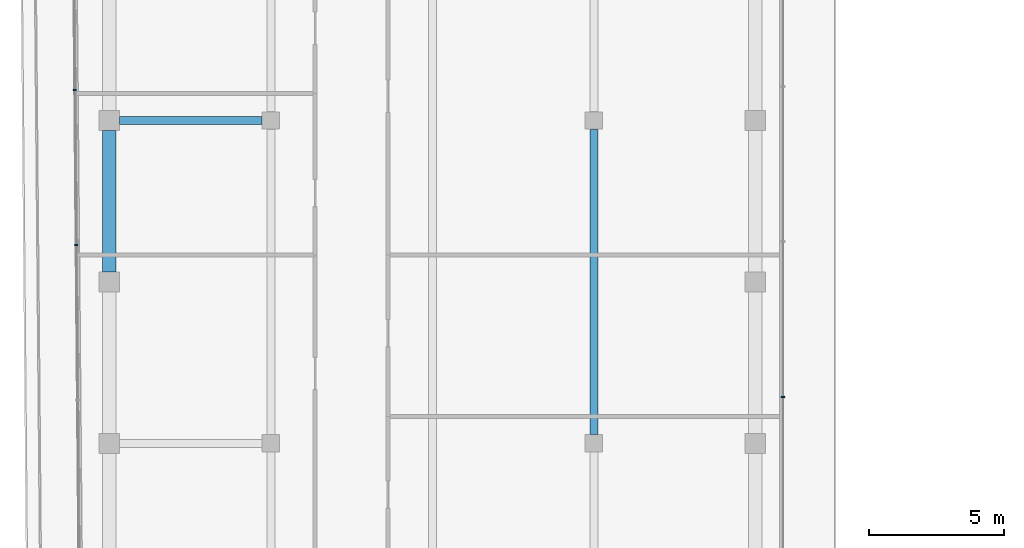
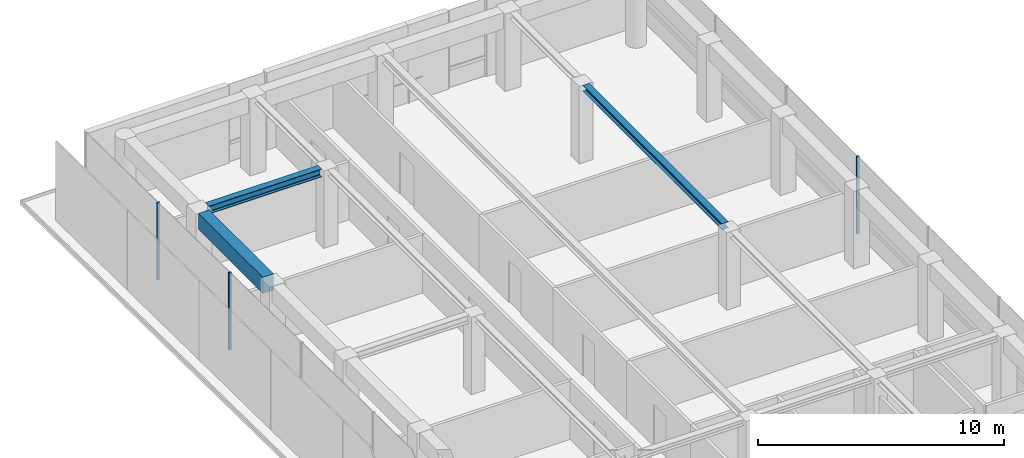
# One storey, part 10 of 18: 3 beams, 3 members, 2 elements without a shape of their own.
"""IFC4 building model written with IfcOpenShell, lengths in metres."""

import ifcopenshell
import ifcopenshell.guid

model = None  # the IFC model being written
_history = None  # IfcOwnerHistory: only IFC2X3 demands one
_inside = {}  # id of a spatial element -> (the spatial element, [elements in it])
_under = {}  # id of a project, library or spatial element -> (it, [spatial elements below it])
_declared = {}  # id of a project -> (the project, [libraries it declares])
_typed = {}  # id of a type object -> (the type object, [elements of that type])
_made_of = {}  # id of a material, layer set ... -> (it, [elements and type objects made of it])


def new_model(schema):
    """Start an empty IFC model of exactly this schema.

    Asked for "IFC4X3", IfcOpenShell would pick the latest addendum, in which some entities
    have other attributes; the version numbers below select the first issue.
    IFC2X3 requires an IfcOwnerHistory on every rooted entity: one is made here for all.
    """
    global model, _history
    if schema == "IFC4X3":
        model = ifcopenshell.file(schema_version=(4, 3, 0, 0))
    else:
        model = ifcopenshell.file(schema=schema)
    _inside.clear()
    _under.clear()
    _declared.clear()
    _typed.clear()
    _made_of.clear()
    _history = None
    if model.schema == "IFC2X3":
        org = make("IfcOrganization", Name="unknown")
        user = make(
            "IfcPersonAndOrganization",
            ThePerson=make("IfcPerson", FamilyName="unknown"),
            TheOrganization=org,
        )
        app = make(
            "IfcApplication",
            ApplicationDeveloper=org,
            Version="unknown",
            ApplicationFullName="unknown",
            ApplicationIdentifier="unknown",
        )
        _history = make(
            "IfcOwnerHistory",
            OwningUser=user,
            OwningApplication=app,
            ChangeAction="ADDED",
            CreationDate=0,
        )
    return model


def make(cls, **values):
    """One entity of the class cls with the attributes given. An attribute that is None is left unset."""
    return model.create_entity(
        cls, **{name: value for name, value in values.items() if value is not None}
    )


def rooted(cls, **values):
    """An entity with a GlobalId (a new one), such as an element, a storey or a relation."""
    return make(cls, GlobalId=ifcopenshell.guid.new(), OwnerHistory=_history, **values)


def si_unit(unit_type, name, prefix=None):
    """IfcSIUnit, for example si_unit("LENGTHUNIT", "METRE", prefix="MILLI")."""
    return make("IfcSIUnit", UnitType=unit_type, Prefix=prefix, Name=name)


def assignment(units):
    """IfcUnitAssignment: the units of a project."""
    return None if units is None else make("IfcUnitAssignment", Units=units)


def point(xyz):
    """IfcCartesianPoint."""
    return None if xyz is None else make("IfcCartesianPoint", Coordinates=xyz)


def direction(xyz):
    """IfcDirection."""
    return None if xyz is None else make("IfcDirection", DirectionRatios=xyz)


def frame(location, z_axis=None, x_axis=None):
    """IfcAxis2Placement3D, a coordinate frame: its origin and axes. An axis left out is left unset."""
    return make(
        "IfcAxis2Placement3D",
        Location=point(location),
        Axis=direction(z_axis),
        RefDirection=direction(x_axis),
    )


def frame_2d(location, x_axis=None):
    """IfcAxis2Placement2D, a coordinate frame in the plane: its origin and x axis."""
    return make(
        "IfcAxis2Placement2D", Location=point(location), RefDirection=direction(x_axis)
    )


def origin():
    """The frame at (0, 0, 0) with its axes left unset."""
    return frame((0.0, 0.0, 0.0))


def origin_2d():
    """The frame at (0, 0) in the plane with its x axis left unset."""
    return frame_2d((0.0, 0.0))


def place(relative_to, where):
    """IfcLocalPlacement: puts the frame where relative to a parent placement (None: the world)."""
    return make(
        "IfcLocalPlacement", PlacementRelTo=relative_to, RelativePlacement=where
    )


def context(
    kind, dimensions, precision=None, world=None, true_north=None, identifier=None
):
    """IfcGeometricRepresentationContext, for example the 3D "Model" context."""
    return make(
        "IfcGeometricRepresentationContext",
        ContextIdentifier=identifier,
        ContextType=kind,
        CoordinateSpaceDimension=dimensions,
        Precision=precision,
        WorldCoordinateSystem=world,
        TrueNorth=true_north,
    )


def subcontext(parent, identifier, kind, view, scale=None):
    """IfcGeometricRepresentationSubContext, for example "Body" below "Model"."""
    return make(
        "IfcGeometricRepresentationSubContext",
        ContextIdentifier=identifier,
        ContextType=kind,
        ParentContext=parent,
        TargetScale=scale,
        TargetView=view,
    )


def project(units=None, contexts=None):
    """IfcProject with its units and contexts."""
    return rooted(
        "IfcProject",
        Name="project",
        RepresentationContexts=contexts,
        UnitsInContext=assignment(units),
    )


def spatial(cls, under=None, at=None, **own):
    """A site, building, storey or space (cls), placed at a placement, below another one or the project."""
    s = rooted(cls, ObjectPlacement=at, **own)
    if under is not None:
        _under.setdefault(under.id(), (under, []))[1].append(s)
    return s


def profile(cls, at=None, kind="AREA", **sizes):
    """A parametric profile (cls). Its sizes go by their IFC names, for example OverallWidth=200.0."""
    return make(cls, ProfileType=kind, Position=at, **sizes)


def rectangle(**sizes):
    """IfcRectangleProfileDef."""
    return profile("IfcRectangleProfileDef", **sizes)


def i_section(**sizes):
    """IfcIShapeProfileDef."""
    return profile("IfcIShapeProfileDef", **sizes)


def extrude(swept, where, along, depth):
    """IfcExtrudedAreaSolid: the profile swept, set in the frame where, extruded along a direction by depth."""
    return make(
        "IfcExtrudedAreaSolid",
        SweptArea=swept,
        Position=where,
        ExtrudedDirection=direction(along),
        Depth=depth,
    )


def shape(context_of_items, identifier, shape_type, items):
    """IfcShapeRepresentation: the items that make up one representation, for example the "Body"."""
    return make(
        "IfcShapeRepresentation",
        ContextOfItems=context_of_items,
        RepresentationIdentifier=identifier,
        RepresentationType=shape_type,
        Items=items,
    )


def material(Name=None, Category=None):
    """IfcMaterial."""
    return make("IfcMaterial", Name=Name, Category=Category)


def layer(
    of_material, thickness, ventilated=None, Name=None, Category=None, Priority=None
):
    """IfcMaterialLayer: one layer of a wall or slab, of a material (None: an air gap)."""
    return make(
        "IfcMaterialLayer",
        Material=of_material,
        LayerThickness=thickness,
        IsVentilated=ventilated,
        Name=Name,
        Category=Category,
        Priority=Priority,
    )


def layer_set(layers, Name=None):
    """IfcMaterialLayerSet."""
    return make("IfcMaterialLayerSet", MaterialLayers=layers, LayerSetName=Name)


def material_profile(
    of_material, cross_section, Name=None, Category=None, Priority=None
):
    """IfcMaterialProfile: a cross section and its material."""
    return make(
        "IfcMaterialProfile",
        Name=Name,
        Material=of_material,
        Profile=cross_section,
        Priority=Priority,
        Category=Category,
    )


def profile_set(profiles, Name=None, composite=None):
    """IfcMaterialProfileSet."""
    return make(
        "IfcMaterialProfileSet",
        Name=Name,
        MaterialProfiles=profiles,
        CompositeProfile=composite,
    )


def made_of(thing, what):
    """Note that an element or type object is made of a material, layer set ...; save() writes the relation."""
    if what is not None:
        _made_of.setdefault(what.id(), (what, []))[1].append(thing)
    return thing


def type_object(cls, material=None, **own):
    """A type object (cls), such as IfcWallType, which elements share."""
    return made_of(rooted(cls, **own), material)


def element(
    cls,
    number,
    at=None,
    inside=None,
    cuts=None,
    type_object=None,
    material=None,
    context=None,
    identifier="Body",
    shape_type=None,
    held_by="IfcProductDefinitionShape",
    body=None,
    shapes=None,
    **own,
):
    """One element of the class cls, such as IfcWall. Its Tag is "e" and its number.

    at: its placement. inside: the storey or other place that contains it. cuts: it is an
    opening in that element (IfcRelVoidsElement). A single representation is given by context,
    identifier, shape_type and body (its items); several are given by shapes. held_by: the class
    of the entity that holds the representations. save() writes the other relations.
    """
    e = rooted(cls, Tag="e%d" % number, ObjectPlacement=at, **own)
    if body is not None:
        shapes = [shape(context, identifier, shape_type, body)]
    if shapes is not None:
        e.Representation = make(held_by, Representations=shapes)
    if inside is not None:
        _inside.setdefault(inside.id(), (inside, []))[1].append(e)
    if cuts is not None:
        rooted(
            "IfcRelVoidsElement", RelatingBuildingElement=cuts, RelatedOpeningElement=e
        )
    if type_object is not None:
        _typed.setdefault(type_object.id(), (type_object, []))[1].append(e)
    return made_of(e, material)


def aggregate(whole, parts):
    """IfcRelAggregates: a whole, such as a stair, and the parts it consists of."""
    return rooted("IfcRelAggregates", RelatingObject=whole, RelatedObjects=parts)


def save(model, path):
    """Write the relations noted so far, then the file.

    IfcRelAggregates (storeys below a building ...), IfcRelContainedInSpatialStructure (elements
    in a storey), IfcRelDefinesByType, IfcRelAssociatesMaterial and IfcRelDeclares: one each for
    every whole, place, type object, material and project.
    """
    for whole, parts in _under.values():
        aggregate(whole, parts)
    for where, things in _inside.values():
        rooted(
            "IfcRelContainedInSpatialStructure",
            RelatedElements=things,
            RelatingStructure=where,
        )
    for kind, things in _typed.values():
        rooted("IfcRelDefinesByType", RelatedObjects=things, RelatingType=kind)
    for what, things in _made_of.values():
        rooted("IfcRelAssociatesMaterial", RelatedObjects=things, RelatingMaterial=what)
    for by, libraries in _declared.values():
        rooted("IfcRelDeclares", RelatingContext=by, RelatedDefinitions=libraries)
    model.write(path)


model = new_model("IFC4")

# Units and contexts
model_context = context("Model", 3, precision=1e-05, world=origin(), true_north=direction((0.0, 1.0)))
body_context = subcontext(model_context, "Body", "Model", "MODEL_VIEW")
ifc_project = project(units=[si_unit("LENGTHUNIT", "METRE"), si_unit("AREAUNIT", "SQUARE_METRE"), si_unit("VOLUMEUNIT", "CUBIC_METRE"), si_unit("PLANEANGLEUNIT", "RADIAN"), si_unit("MASSUNIT", "GRAM", prefix="KILO")], contexts=[model_context])

# Site, building, storey
site_placement = place(None, origin())
site = spatial("IfcSite", under=ifc_project, at=site_placement, CompositionType="ELEMENT")
building_placement = place(site_placement, origin())
building = spatial("IfcBuilding", under=site, at=building_placement, Name="Welwitschia Terrace Campus", CompositionType="ELEMENT")
storey_placement = place(building_placement, frame((0.0, 0.0, 289.39990234375)))
storey = spatial("IfcBuildingStorey", under=building, at=storey_placement, Name="L64", CompositionType="ELEMENT", Elevation=289.39990234375)

# Beam
ifc_material_1 = material(Name="Steel S355", Category="steel")
ifc_material_profile_1 = material_profile(ifc_material_1, i_section(OverallWidth=0.300048828125, OverallDepth=0.300048828125, WebThickness=0.010986328125, FlangeThickness=0.01904296875, FilletRadius=0.027099609375, at=origin_2d()))
ifc_profile_set_1 = profile_set([ifc_material_profile_1], Name="Steel S355")
beam_type_1 = type_object("IfcBeamType", Name="Interior girder HE 300 B", PredefinedType="BEAM", material=ifc_profile_set_1)
beam_1_placement = place(storey_placement, frame((18.0, 44.325439453125, 3.7001953125), z_axis=(0.0, 1.0, 0.0), x_axis=(-1.0, 0.0, 0.0)))
element("IfcBeam", 1, at=beam_1_placement, inside=storey, type_object=beam_type_1, Name="Girder GB6", PredefinedType="BEAM", context=body_context, shape_type="SweptSolid", body=[
    extrude(i_section(OverallWidth=0.300048828125, OverallDepth=0.300048828125, WebThickness=0.010986328125, FlangeThickness=0.01904296875, FilletRadius=0.027099609375, at=origin_2d()), origin(), (0.0, 0.0, 1.0), 11.34912109375),
])

# Curtain wall, members
ifc_material_2 = material(Name="Bronze anodised aluminium", Category="aluminium")
ifc_layer = layer(ifc_material_2, 0.1201171875)
ifc_layer_set = layer_set([ifc_layer], Name="Bronze anodised aluminium")
curtain_wall_type = type_object("IfcCurtainWallType", Name="Curtain wall CW2 tower 6000", PredefinedType="NOTDEFINED", material=ifc_layer_set)
curtain_wall_1_placement = place(storey_placement, origin())
curtain_wall_1 = element("IfcCurtainWall", 2, at=curtain_wall_1_placement, inside=storey, type_object=curtain_wall_type, Name="CW L64.0.0", PredefinedType="NOTDEFINED")
ifc_material_3 = material(Name="Bronze anodised aluminium", Category="aluminium")
ifc_material_profile_2 = material_profile(ifc_material_3, rectangle(XDim=0.1201171875, YDim=0.06005859375, at=origin_2d()))
ifc_profile_set_2 = profile_set([ifc_material_profile_2], Name="Bronze anodised aluminium")
member_type = type_object("IfcMemberType", Name="Mullion 60x120", PredefinedType="MULLION", material=ifc_profile_set_2)
member_1_placement = place(storey_placement, frame((-1.281494140625, 57.13525390625, 0.0), z_axis=(0.0, 0.0, 1.0), x_axis=(0.999961923064, 0.008726535498, 0.0)))
member_1 = element("IfcMember", 3, at=member_1_placement, type_object=member_type, Name="Mullion L64.0.0.1", PredefinedType="MULLION", context=body_context, shape_type="SweptSolid", body=[
    extrude(rectangle(XDim=0.1201171875, YDim=0.06005859375, at=origin_2d()), origin(), (0.0, 0.0, 1.0), 3.85009765625),
])
member_2_placement = place(storey_placement, frame((-1.231201171875, 51.372802734375, 0.0), z_axis=(0.0, 0.0, 1.0), x_axis=(0.999961923064, 0.008726535498, 0.0)))
member_2 = element("IfcMember", 4, at=member_2_placement, type_object=member_type, Name="Mullion L64.0.0.2", PredefinedType="MULLION", context=body_context, shape_type="SweptSolid", body=[
    extrude(rectangle(XDim=0.1201171875, YDim=0.06005859375, at=origin_2d()), origin(), (0.0, 0.0, 1.0), 3.85009765625),
])
aggregate(curtain_wall_1, [member_1, member_2])

# Curtain wall, member
curtain_wall_2_placement = place(storey_placement, origin())
curtain_wall_2 = element("IfcCurtainWall", 5, at=curtain_wall_2_placement, inside=storey, type_object=curtain_wall_type, Name="CW L64.9.0", PredefinedType="NOTDEFINED")
member_3_placement = place(storey_placement, frame((25.030029296875, 45.733154296875, 0.0), z_axis=(0.0, 0.0, 1.0), x_axis=(-1.0, 0.0, 0.0)))
member_3 = element("IfcMember", 6, at=member_3_placement, type_object=member_type, Name="Mullion L64.9.0.3", PredefinedType="MULLION", context=body_context, shape_type="SweptSolid", body=[
    extrude(rectangle(XDim=0.1201171875, YDim=0.06005859375, at=origin_2d()), origin(), (0.0, 0.0, 1.0), 3.85009765625),
])
aggregate(curtain_wall_2, [member_3])

# Beams
ifc_material_4 = material(Name="Steel S355", Category="steel")
ifc_material_profile_3 = material_profile(ifc_material_4, i_section(OverallWidth=0.300048828125, OverallDepth=0.39990234375, WebThickness=0.013427734375, FlangeThickness=0.02392578125, FilletRadius=0.027099609375, at=origin_2d()))
ifc_profile_set_3 = profile_set([ifc_material_profile_3], Name="Steel S355")
beam_type_2 = type_object("IfcBeamType", Name="Primary beam HE 400 B", PredefinedType="BEAM", material=ifc_profile_set_3)
beam_2_placement = place(storey_placement, frame((0.37548828125, 56.0, 3.650146484375), z_axis=(1.0, 0.0, 0.0), x_axis=(0.0, 1.0, 0.0)))
element("IfcBeam", 7, at=beam_2_placement, inside=storey, type_object=beam_type_2, Name="Primary beam PB6", PredefinedType="BEAM", context=body_context, shape_type="SweptSolid", body=[
    extrude(i_section(OverallWidth=0.300048828125, OverallDepth=0.39990234375, WebThickness=0.013427734375, FlangeThickness=0.02392578125, FilletRadius=0.027099609375, at=origin_2d()), origin(), (0.0, 0.0, 1.0), 5.299072265625),
])
ifc_material_5 = material(Name="Concrete C50/60", Category="concrete")
ifc_material_profile_4 = material_profile(ifc_material_5, rectangle(XDim=0.5, YDim=0.800048828125, at=origin_2d()))
ifc_profile_set_4 = profile_set([ifc_material_profile_4], Name="Concrete C50/60")
beam_type_3 = type_object("IfcBeamType", Name="Ring spandrel 500x800", PredefinedType="SPANDREL", material=ifc_profile_set_4)
beam_3_placement = place(storey_placement, frame((0.0, 55.62451171875, 3.4501953125), z_axis=(0.0, -1.0, 0.0), x_axis=(1.0, 0.0, 0.0)))
element("IfcBeam", 8, at=beam_3_placement, inside=storey, type_object=beam_type_3, Name="Spandrel SP4", PredefinedType="SPANDREL", context=body_context, shape_type="SweptSolid", body=[
    extrude(rectangle(XDim=0.5, YDim=0.800048828125, at=origin_2d()), origin(), (0.0, 0.0, 1.0), 5.2490234375),
])

save(model, "model.ifc")
